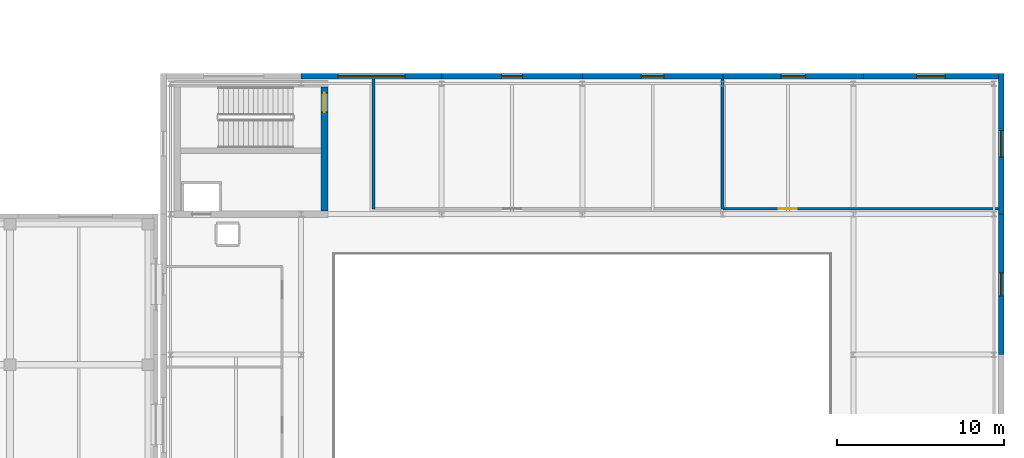
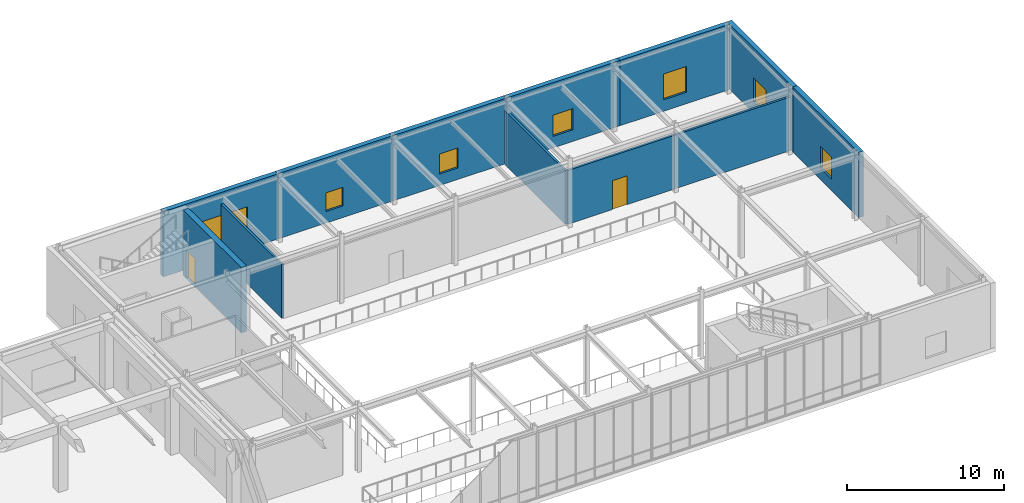
# One storey, part 120 of 139: 11 walls, 7 windows, 2 doors, 9 openings.
"""IFC4 building model written with IfcOpenShell, lengths in metres."""

from ifc_helpers import new_model, si_unit, direction, frame, frame_2d, origin, place, context, subcontext, project, spatial, rectangle, extrude, material, layer, layer_set, type_object, element, fill, save


model = new_model("IFC4")

# Units and contexts
model_context = context("Model", 3, precision=1e-05, world=origin(), true_north=direction((0.0, 1.0)))
body_context = subcontext(model_context, "Body", "Model", "MODEL_VIEW")
ifc_project = project(units=[si_unit("LENGTHUNIT", "METRE"), si_unit("AREAUNIT", "SQUARE_METRE"), si_unit("VOLUMEUNIT", "CUBIC_METRE"), si_unit("PLANEANGLEUNIT", "RADIAN"), si_unit("MASSUNIT", "GRAM", prefix="KILO")], contexts=[model_context])

# Site, building, storey
site_placement = place(None, origin())
site = spatial("IfcSite", under=ifc_project, at=site_placement, CompositionType="ELEMENT")
building_placement = place(site_placement, origin())
building = spatial("IfcBuilding", under=site, at=building_placement, Name="Zayran Congress Hotel", CompositionType="ELEMENT")
storey_placement = place(building_placement, frame((0.0, 0.0, 5.39990234375)))
storey = spatial("IfcBuildingStorey", under=building, at=storey_placement, Name="L01", CompositionType="ELEMENT", Elevation=5.39990234375)

# Wall, opening, window
ifc_material_1 = material(Name="Hajar Ma'ani limestone and insulated concrete C32/40", Category="masonry")
ifc_layer_1 = layer(ifc_material_1, 0.340087890625)
ifc_layer_set_1 = layer_set([ifc_layer_1], Name="Hajar Ma'ani limestone and insulated concrete C32/40")
wall_type_1 = type_object("IfcWallType", Name="WL-EX-340", PredefinedType="SOLIDWALL", material=ifc_layer_set_1)
wall_1_placement = place(storey_placement, frame((151.199951171875, 117.830078125, 0.0), z_axis=(0.0, 0.0, 1.0), x_axis=(1.0, 0.0, 0.0)))
wall_1 = element("IfcWall", 1, at=wall_1_placement, inside=storey, type_object=wall_type_1, Name="EW-V2-N-L01-1", PredefinedType="SOLIDWALL", context=body_context, shape_type="SweptSolid", body=[
    extrude(rectangle(XDim=8.400146484375, YDim=0.340087890625, at=frame_2d((4.2001953125, 0.0))), origin(), (0.0, 0.0, 1.0), 5.080078125),
])
opening_1_placement = place(wall_1_placement, frame((2.199951171875, 0.0, 0.89990234375)))
opening_1 = element("IfcOpeningElement", 2, at=opening_1_placement, cuts=wall_1, Name="Opening WN-22", PredefinedType="OPENING", context=body_context, shape_type="SweptSolid", body=[
    extrude(rectangle(XDim=4.0, YDim=2.39990234375, at=frame_2d((2.0, 1.199951171875))), frame((0.0, 0.179931640625, 0.0), z_axis=(0.0, -1.0, 0.0), x_axis=(1.0, 0.0, 0.0)), (0.0, 0.0, 1.0), 0.360107421875),
])
ifc_material_2 = material(Name="Anodised aluminium and low-E insulated glass", Category="aluminium")
window_type_1 = type_object("IfcWindowType", Name="TP-WN-22", PartitioningType="TRIPLE_PANEL_VERTICAL", PredefinedType="WINDOW", material=ifc_material_2)
window_1_placement = place(opening_1_placement, origin())
window_1 = element("IfcWindow", 3, at=window_1_placement, inside=storey, type_object=window_type_1, Name="WIN-V2-0028", OverallHeight=2.39990234375, OverallWidth=4.0, PartitioningType="SINGLE_PANEL", PredefinedType="WINDOW", context=body_context, shape_type="SweptSolid", body=[
    extrude(rectangle(XDim=4.0, YDim=2.39990234375, at=frame_2d((2.0, 1.199951171875))), frame((0.0, 0.030029296875, 0.0), z_axis=(0.0, -1.0, 0.0), x_axis=(1.0, 0.0, 0.0)), (0.0, 0.0, 1.0), 0.06005859375),
])
fill(opening_1, window_1)

wall_2_placement = place(storey_placement, frame((159.60009765625, 117.830078125, 0.0), z_axis=(0.0, 0.0, 1.0), x_axis=(1.0, 0.0, 0.0)))
wall_2 = element("IfcWall", 4, at=wall_2_placement, inside=storey, type_object=wall_type_1, Name="EW-V2-N-L01-2", PredefinedType="SOLIDWALL", context=body_context, shape_type="SweptSolid", body=[
    extrude(rectangle(XDim=8.39990234375, YDim=0.340087890625, at=frame_2d((4.199951171875, 0.0))), origin(), (0.0, 0.0, 1.0), 5.080078125),
])
opening_2_placement = place(wall_2_placement, frame((3.574951171875, 0.0, 0.89990234375)))
opening_2 = element("IfcOpeningElement", 5, at=opening_2_placement, cuts=wall_2, Name="Opening WN-23", PredefinedType="OPENING", context=body_context, shape_type="SweptSolid", body=[
    extrude(rectangle(XDim=1.25, YDim=1.449951171875, at=frame_2d((0.625, 0.72509765625))), frame((0.0, 0.179931640625, 0.0), z_axis=(0.0, -1.0, 0.0), x_axis=(1.0, 0.0, 0.0)), (0.0, 0.0, 1.0), 0.360107421875),
])
window_type_2 = type_object("IfcWindowType", Name="TP-WN-23", PartitioningType="SINGLE_PANEL", PredefinedType="WINDOW", material=ifc_material_2)
window_2_placement = place(opening_2_placement, origin())
window_2 = element("IfcWindow", 6, at=window_2_placement, inside=storey, type_object=window_type_2, Name="WIN-V2-0029", OverallHeight=1.449951171875, OverallWidth=1.25, PartitioningType="SINGLE_PANEL", PredefinedType="WINDOW", context=body_context, shape_type="SweptSolid", body=[
    extrude(rectangle(XDim=1.25, YDim=1.449951171875, at=frame_2d((0.625, 0.72509765625))), frame((0.0, 0.030029296875, 0.0), z_axis=(0.0, -1.0, 0.0), x_axis=(1.0, 0.0, 0.0)), (0.0, 0.0, 1.0), 0.06005859375),
])
fill(opening_2, window_2)

wall_3_placement = place(storey_placement, frame((168.0, 117.830078125, 0.0), z_axis=(0.0, 0.0, 1.0), x_axis=(1.0, 0.0, 0.0)))
wall_3 = element("IfcWall", 7, at=wall_3_placement, inside=storey, type_object=wall_type_1, Name="EW-V2-N-L01-3", PredefinedType="SOLIDWALL", context=body_context, shape_type="SweptSolid", body=[
    extrude(rectangle(XDim=8.39990234375, YDim=0.340087890625, at=frame_2d((4.199951171875, 0.0))), origin(), (0.0, 0.0, 1.0), 5.080078125),
])
opening_3_placement = place(wall_3_placement, frame((3.52490234375, 0.0, 0.89990234375)))
opening_3 = element("IfcOpeningElement", 8, at=opening_3_placement, cuts=wall_3, Name="Opening WN-24", PredefinedType="OPENING", context=body_context, shape_type="SweptSolid", body=[
    extrude(rectangle(XDim=1.35009765625, YDim=1.550048828125, at=frame_2d((0.675048828125, 0.77490234375))), frame((0.0, 0.179931640625, 0.0), z_axis=(0.0, -1.0, 0.0), x_axis=(1.0, 0.0, 0.0)), (0.0, 0.0, 1.0), 0.360107421875),
])
window_type_3 = type_object("IfcWindowType", Name="TP-WN-24", PartitioningType="SINGLE_PANEL", PredefinedType="WINDOW", material=ifc_material_2)
window_3_placement = place(opening_3_placement, origin())
window_3 = element("IfcWindow", 9, at=window_3_placement, inside=storey, type_object=window_type_3, Name="WIN-V2-0030", OverallHeight=1.550048828125, OverallWidth=1.35009765625, PartitioningType="SINGLE_PANEL", PredefinedType="WINDOW", context=body_context, shape_type="SweptSolid", body=[
    extrude(rectangle(XDim=1.35009765625, YDim=1.550048828125, at=frame_2d((0.675048828125, 0.77490234375))), frame((0.0, 0.030029296875, 0.0), z_axis=(0.0, -1.0, 0.0), x_axis=(1.0, 0.0, 0.0)), (0.0, 0.0, 1.0), 0.06005859375),
])
fill(opening_3, window_3)

wall_4_placement = place(storey_placement, frame((176.39990234375, 117.830078125, 0.0), z_axis=(0.0, 0.0, 1.0), x_axis=(1.0, 0.0, 0.0)))
wall_4 = element("IfcWall", 10, at=wall_4_placement, inside=storey, type_object=wall_type_1, Name="EW-V2-N-L01-4", PredefinedType="SOLIDWALL", context=body_context, shape_type="SweptSolid", body=[
    extrude(rectangle(XDim=8.400146484375, YDim=0.340087890625, at=frame_2d((4.2001953125, 0.0))), origin(), (0.0, 0.0, 1.0), 5.080078125),
])
opening_4_placement = place(wall_4_placement, frame((3.47509765625, 0.0, 0.89990234375)))
opening_4 = element("IfcOpeningElement", 11, at=opening_4_placement, cuts=wall_4, Name="Opening WN-25", PredefinedType="OPENING", context=body_context, shape_type="SweptSolid", body=[
    extrude(rectangle(XDim=1.449951171875, YDim=1.64990234375, at=frame_2d((0.72509765625, 0.824951171875))), frame((0.0, 0.179931640625, 0.0), z_axis=(0.0, -1.0, 0.0), x_axis=(1.0, 0.0, 0.0)), (0.0, 0.0, 1.0), 0.360107421875),
])
window_type_4 = type_object("IfcWindowType", Name="TP-WN-25", PartitioningType="SINGLE_PANEL", PredefinedType="WINDOW", material=ifc_material_2)
window_4_placement = place(opening_4_placement, origin())
window_4 = element("IfcWindow", 12, at=window_4_placement, inside=storey, type_object=window_type_4, Name="WIN-V2-0031", OverallHeight=1.64990234375, OverallWidth=1.449951171875, PartitioningType="SINGLE_PANEL", PredefinedType="WINDOW", context=body_context, shape_type="SweptSolid", body=[
    extrude(rectangle(XDim=1.449951171875, YDim=1.64990234375, at=frame_2d((0.72509765625, 0.824951171875))), frame((0.0, 0.030029296875, 0.0), z_axis=(0.0, -1.0, 0.0), x_axis=(1.0, 0.0, 0.0)), (0.0, 0.0, 1.0), 0.06005859375),
])
fill(opening_4, window_4)

wall_5_placement = place(storey_placement, frame((184.800048828125, 117.830078125, 0.0), z_axis=(0.0, 0.0, 1.0), x_axis=(1.0, 0.0, 0.0)))
wall_5 = element("IfcWall", 13, at=wall_5_placement, inside=storey, type_object=wall_type_1, Name="EW-V2-N-L01-5", PredefinedType="SOLIDWALL", context=body_context, shape_type="SweptSolid", body=[
    extrude(rectangle(XDim=8.06005859375, YDim=0.340087890625, at=frame_2d((4.030029296875, 0.0))), origin(), (0.0, 0.0, 1.0), 5.080078125),
])
opening_5_placement = place(wall_5_placement, frame((3.179931640625, 0.0, 0.89990234375)))
opening_5 = element("IfcOpeningElement", 14, at=opening_5_placement, cuts=wall_5, Name="Opening WN-27", PredefinedType="OPENING", context=body_context, shape_type="SweptSolid", body=[
    extrude(rectangle(XDim=1.699951171875, YDim=2.0, at=frame_2d((0.85009765625, 1.0))), frame((0.0, 0.179931640625, 0.0), z_axis=(0.0, -1.0, 0.0), x_axis=(1.0, 0.0, 0.0)), (0.0, 0.0, 1.0), 0.360107421875),
])
window_type_5 = type_object("IfcWindowType", Name="TP-WN-27", PartitioningType="DOUBLE_PANEL_VERTICAL", PredefinedType="WINDOW", material=ifc_material_2)
window_5_placement = place(opening_5_placement, origin())
window_5 = element("IfcWindow", 15, at=window_5_placement, inside=storey, type_object=window_type_5, Name="WIN-V2-0033", OverallHeight=2.0, OverallWidth=1.699951171875, PartitioningType="SINGLE_PANEL", PredefinedType="WINDOW", context=body_context, shape_type="SweptSolid", body=[
    extrude(rectangle(XDim=1.699951171875, YDim=2.0, at=frame_2d((0.85009765625, 1.0))), frame((0.0, 0.030029296875, 0.0), z_axis=(0.0, -1.0, 0.0), x_axis=(1.0, 0.0, 0.0)), (0.0, 0.0, 1.0), 0.06005859375),
])
fill(opening_5, window_5)

wall_6_placement = place(storey_placement, frame((193.030029296875, 109.60009765625, 0.0), z_axis=(0.0, 0.0, 1.0), x_axis=(0.0, -1.0, 0.0)))
wall_6 = element("IfcWall", 16, at=wall_6_placement, inside=storey, type_object=wall_type_1, Name="EW-V2-E-L01-2", PredefinedType="SOLIDWALL", context=body_context, shape_type="SweptSolid", body=[
    extrude(rectangle(XDim=8.400146484375, YDim=0.340087890625, at=frame_2d((4.2001953125, 0.0))), origin(), (0.0, 0.0, 1.0), 5.080078125),
])
opening_6_placement = place(wall_6_placement, frame((3.510009765625, 0.0, 0.89990234375)))
opening_6 = element("IfcOpeningElement", 17, at=opening_6_placement, cuts=wall_6, Name="Opening WN-33", PredefinedType="OPENING", context=body_context, shape_type="SweptSolid", body=[
    extrude(rectangle(XDim=1.3798828125, YDim=1.699951171875, at=frame_2d((0.68994140625, 0.85009765625))), frame((0.0, 0.179931640625, 0.0), z_axis=(0.0, -1.0, 0.0), x_axis=(1.0, 0.0, 0.0)), (0.0, 0.0, 1.0), 0.360107421875),
])
window_type_6 = type_object("IfcWindowType", Name="TP-WN-33", PartitioningType="SINGLE_PANEL", PredefinedType="WINDOW", material=ifc_material_2)
window_6_placement = place(opening_6_placement, origin())
window_6 = element("IfcWindow", 18, at=window_6_placement, inside=storey, type_object=window_type_6, Name="WIN-V2-0039", OverallHeight=1.699951171875, OverallWidth=1.3798828125, PartitioningType="SINGLE_PANEL", PredefinedType="WINDOW", context=body_context, shape_type="SweptSolid", body=[
    extrude(rectangle(XDim=1.3798828125, YDim=1.699951171875, at=frame_2d((0.68994140625, 0.85009765625))), frame((0.0, 0.030029296875, 0.0), z_axis=(0.0, -1.0, 0.0), x_axis=(1.0, 0.0, 0.0)), (0.0, 0.0, 1.0), 0.06005859375),
])
fill(opening_6, window_6)

wall_7_placement = place(storey_placement, frame((193.030029296875, 118.0, 0.0), z_axis=(0.0, 0.0, 1.0), x_axis=(0.0, -1.0, 0.0)))
wall_7 = element("IfcWall", 19, at=wall_7_placement, inside=storey, type_object=wall_type_1, Name="EW-V2-E-L01-3", PredefinedType="SOLIDWALL", context=body_context, shape_type="SweptSolid", body=[
    extrude(rectangle(XDim=8.39990234375, YDim=0.340087890625, at=frame_2d((4.199951171875, 0.0))), origin(), (0.0, 0.0, 1.0), 5.080078125),
])
opening_7_placement = place(wall_7_placement, frame((3.409912109375, 0.0, 0.89990234375)))
opening_7 = element("IfcOpeningElement", 20, at=opening_7_placement, cuts=wall_7, Name="Opening WN-35", PredefinedType="OPENING", context=body_context, shape_type="SweptSolid", body=[
    extrude(rectangle(XDim=1.580078125, YDim=1.85009765625, at=frame_2d((0.7900390625, 0.925048828125))), frame((0.0, 0.179931640625, 0.0), z_axis=(0.0, -1.0, 0.0), x_axis=(1.0, 0.0, 0.0)), (0.0, 0.0, 1.0), 0.360107421875),
])
window_type_7 = type_object("IfcWindowType", Name="TP-WN-35", PartitioningType="DOUBLE_PANEL_VERTICAL", PredefinedType="WINDOW", material=ifc_material_2)
window_7_placement = place(opening_7_placement, origin())
window_7 = element("IfcWindow", 21, at=window_7_placement, inside=storey, type_object=window_type_7, Name="WIN-V2-0041", OverallHeight=1.85009765625, OverallWidth=1.580078125, PartitioningType="SINGLE_PANEL", PredefinedType="WINDOW", context=body_context, shape_type="SweptSolid", body=[
    extrude(rectangle(XDim=1.580078125, YDim=1.85009765625, at=frame_2d((0.7900390625, 0.925048828125))), frame((0.0, 0.030029296875, 0.0), z_axis=(0.0, -1.0, 0.0), x_axis=(1.0, 0.0, 0.0)), (0.0, 0.0, 1.0), 0.06005859375),
])
fill(opening_7, window_7)

# Wall, opening, door
ifc_material_3 = material(Name="Concrete C40/50", Category="concrete")
ifc_layer_2 = layer(ifc_material_3, 0.39990234375)
ifc_layer_set_2 = layer_set([ifc_layer_2], Name="Concrete C40/50")
wall_type_2 = type_object("IfcWallType", Name="WL-SH-400", PredefinedType="SHEAR", material=ifc_layer_set_2)
wall_8_placement = place(storey_placement, frame((152.60009765625, 109.800048828125, 0.0), z_axis=(0.0, 0.0, 1.0), x_axis=(0.0, 1.0, 0.0)))
wall_8 = element("IfcWall", 22, at=wall_8_placement, inside=storey, type_object=wall_type_2, Name="CWALL-C-V2W-L01-E", PredefinedType="SHEAR", context=body_context, shape_type="SweptSolid", body=[
    extrude(rectangle(XDim=7.39990234375, YDim=0.39990234375, at=frame_2d((3.699951171875, 0.0))), origin(), (0.0, 0.0, 1.0), 5.080078125),
])
opening_8_placement = place(wall_8_placement, frame((5.89990234375, 0.0, 0.0)))
opening_8 = element("IfcOpeningElement", 23, at=opening_8_placement, cuts=wall_8, Name="Opening DR-FD-90", PredefinedType="OPENING", context=body_context, shape_type="SweptSolid", body=[
    extrude(rectangle(XDim=1.14990234375, YDim=2.199951171875, at=frame_2d((0.574951171875, 1.10009765625))), frame((0.0, 0.2099609375, 0.0), z_axis=(0.0, -1.0, 0.0), x_axis=(1.0, 0.0, 0.0)), (0.0, 0.0, 1.0), 0.419921875),
])
ifc_material_4 = material(Name="Painted steel fire door assembly", Category="steel")
door_type_1 = type_object("IfcDoorType", Name="TP-DR-FD-90", OperationType="NOTDEFINED", PredefinedType="DOOR", material=ifc_material_4)
door_1_placement = place(opening_8_placement, origin())
door_1 = element("IfcDoor", 24, at=door_1_placement, inside=storey, type_object=door_type_1, Name="ST-09 Exit Stair Door L01", OperationType="SINGLE_SWING_RIGHT", OverallHeight=2.199951171875, OverallWidth=1.14990234375, PredefinedType="DOOR", context=body_context, shape_type="SweptSolid", body=[
    extrude(rectangle(XDim=1.14990234375, YDim=2.199951171875, at=frame_2d((0.574951171875, 1.10009765625))), frame((0.0, 0.02490234375, 0.0), z_axis=(0.0, -1.0, 0.0), x_axis=(1.0, 0.0, 0.0)), (0.0, 0.0, 1.0), 0.050048828125),
])
fill(opening_8, door_1)

ifc_material_5 = material(Name="Acoustic twin-stud gypsum partition", Category="gypsum")
ifc_layer_3 = layer(ifc_material_5, 0.159912109375)
ifc_layer_set_3 = layer_set([ifc_layer_3], Name="Acoustic twin-stud gypsum partition")
wall_type_3 = type_object("IfcWallType", Name="WL-PT-160", PredefinedType="PARTITIONING", material=ifc_layer_set_3)
wall_9_placement = place(storey_placement, frame((176.419921875, 109.919921875, 0.0), z_axis=(0.0, 0.0, 1.0), x_axis=(1.0, 0.0, 0.0)))
wall_9 = element("IfcWall", 25, at=wall_9_placement, inside=storey, type_object=wall_type_3, Name="IW-L01-0418", PredefinedType="PARTITIONING", context=body_context, shape_type="SweptSolid", body=[
    extrude(rectangle(XDim=16.440185546875, YDim=0.159912109375, at=frame_2d((8.22021484375, 0.0))), origin(), (0.0, 0.0, 1.0), 4.18017578125),
])
opening_9_placement = place(wall_9_placement, frame((3.31591796875, 0.0, 0.0)))
opening_9 = element("IfcOpeningElement", 26, at=opening_9_placement, cuts=wall_9, Name="Opening DR-MT-01", PredefinedType="OPENING", context=body_context, shape_type="SweptSolid", body=[
    extrude(rectangle(XDim=1.080078125, YDim=2.25, at=frame_2d((0.5400390625, 1.125))), frame((0.0, 0.08984375, 0.0), z_axis=(0.0, -1.0, 0.0), x_axis=(1.0, 0.0, 0.0)), (0.0, 0.0, 1.0), 0.179931640625),
])
ifc_material_6 = material(Name="Acoustic timber seminar room door", Category="wood")
door_type_2 = type_object("IfcDoorType", Name="TP-DR-MT-01", OperationType="NOTDEFINED", PredefinedType="DOOR", material=ifc_material_6)
door_2_placement = place(opening_9_placement, origin())
door_2 = element("IfcDoor", 27, at=door_2_placement, inside=storey, type_object=door_type_2, Name="Banquet Audio Control Room Door", OperationType="SINGLE_SWING_RIGHT", OverallHeight=2.25, OverallWidth=1.080078125, PredefinedType="DOOR", context=body_context, shape_type="SweptSolid", body=[
    extrude(rectangle(XDim=1.080078125, YDim=2.25, at=frame_2d((0.5400390625, 1.125))), frame((0.0, 0.02490234375, 0.0), z_axis=(0.0, -1.0, 0.0), x_axis=(1.0, 0.0, 0.0)), (0.0, 0.0, 1.0), 0.050048828125),
])
fill(opening_9, door_2)

# Walls
for number, where, z_axis, x_axis, name in (
    (28, (155.52001953125, 109.919921875, 0.0), (0.0, 0.0, 1.0), (0.0, 1.0, 0.0), "IW-L01-1696"),
    (29, (176.3798828125, 109.919921875, 0.0), (0.0, 0.0, 1.0), (0.0, 1.0, 0.0), "IW-L01-1697"),
):
    element("IfcWall", number, at=place(storey_placement, frame(where, z_axis=z_axis, x_axis=x_axis)), inside=storey, type_object=wall_type_3, Name=name, PredefinedType="PARTITIONING", context=body_context, shape_type="SweptSolid", body=[
        extrude(rectangle(XDim=7.739990234375, YDim=0.159912109375, at=frame_2d((3.8701171875, 0.0))), origin(), (0.0, 0.0, 1.0), 4.18017578125),
    ])

save(model, "model.ifc")
